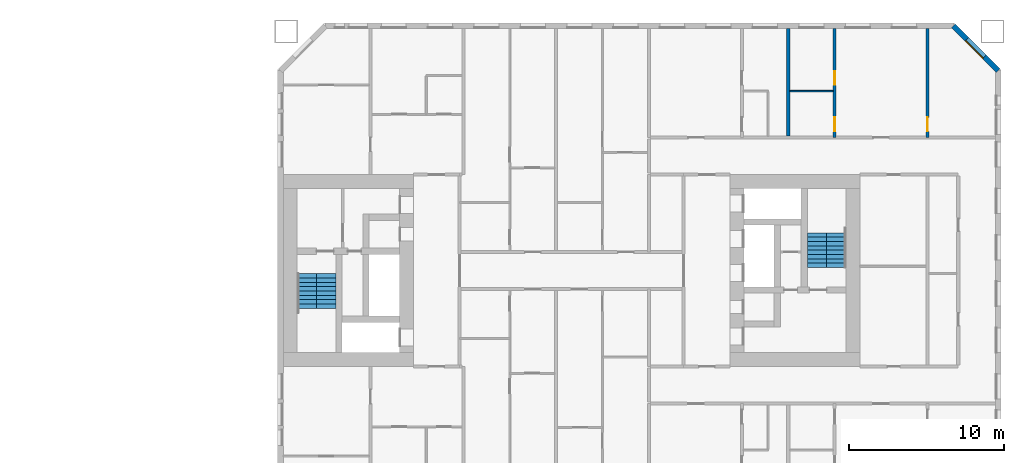
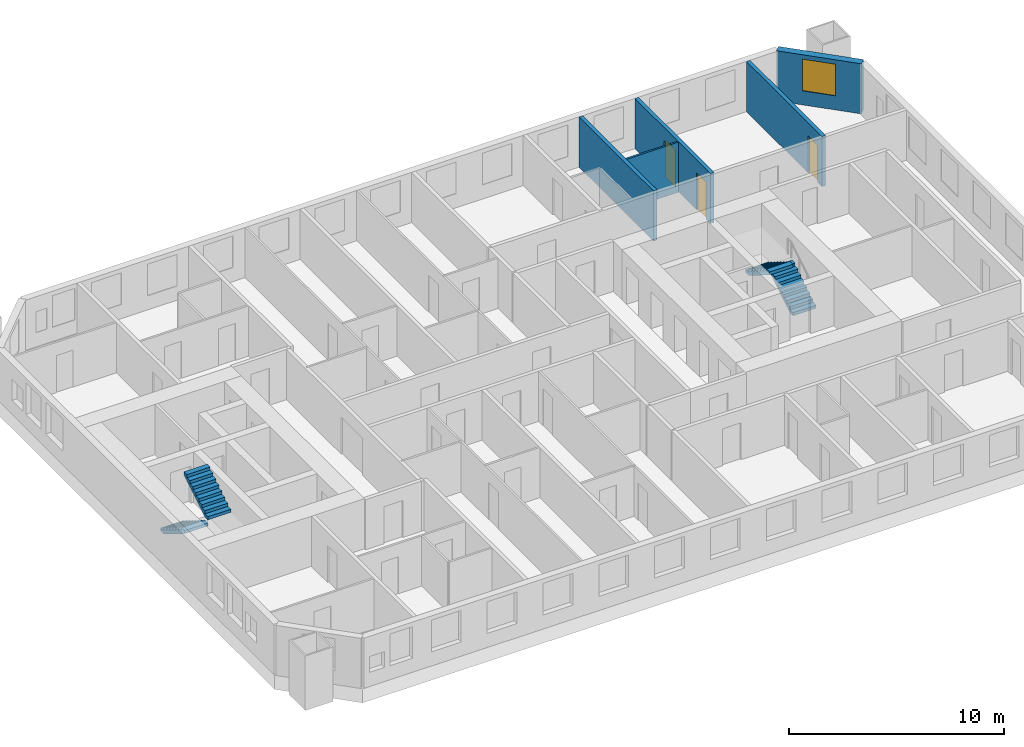
# One storey, part 14 of 16: 5 walls, 4 stair flights, 3 doors, 1 window, 4 openings, 2 elements without a shape of their own.
"""IFC4 building model written with IfcOpenShell, lengths in metres."""

from ifc_helpers import new_model, si_unit, direction, frame, frame_2d, origin, place, context, subcontext, project, spatial, polyline, rectangle, outline, extrude, material, layer, layer_set, type_object, element, fill, aggregate, save


model = new_model("IFC4")

# Units and contexts
model_context = context("Model", 3, precision=1e-05, world=origin(), true_north=direction((0.0, 1.0)))
body_context = subcontext(model_context, "Body", "Model", "MODEL_VIEW")
ifc_project = project(units=[si_unit("LENGTHUNIT", "METRE"), si_unit("AREAUNIT", "SQUARE_METRE"), si_unit("VOLUMEUNIT", "CUBIC_METRE"), si_unit("PLANEANGLEUNIT", "RADIAN"), si_unit("MASSUNIT", "GRAM", prefix="KILO")], contexts=[model_context])

# Site, building, storey
site_placement = place(None, origin())
site = spatial("IfcSite", under=ifc_project, at=site_placement, CompositionType="ELEMENT")
building_placement = place(site_placement, origin())
building = spatial("IfcBuilding", under=site, at=building_placement, Name="Tuart Gate Housing", CompositionType="ELEMENT")
storey_placement = place(building_placement, frame((0.0, 0.0, 19.5)))
storey = spatial("IfcBuildingStorey", under=building, at=storey_placement, Name="L04", CompositionType="ELEMENT", Elevation=19.5)

# Wall, opening, window
ifc_material_1 = material(Name="Brick", Category="masonry")
ifc_layer_1 = layer(ifc_material_1, 0.360107421875)
ifc_layer_set_1 = layer_set([ifc_layer_1], Name="Brick pier and spandrel wall 360")
wall_type_1 = type_object("IfcWallType", Name="Brick pier and spandrel wall 360", PredefinedType="STANDARD", material=ifc_layer_set_1)
wall_1_placement = place(storey_placement, frame((177.570068359375, 82.92529296875, 0.0), z_axis=(0.0, 0.0, 1.0), x_axis=(-0.707106781187, 0.707106781187, 0.0)))
wall_1 = element("IfcWall", 1, at=wall_1_placement, inside=storey, type_object=wall_type_1, Name="External wall B-NE L04", PredefinedType="STANDARD", context=body_context, shape_type="SweptSolid", body=[
    extrude(rectangle(XDim=4.09375, YDim=0.360107421875, at=frame_2d((2.046875, 0.0))), origin(), (0.0, 0.0, 1.0), 2.85009765625),
])
opening_1_placement = place(wall_1_placement, frame((1.2470703125, 0.0, 0.800048828125)))
opening_1 = element("IfcOpeningElement", 2, at=opening_1_placement, cuts=wall_1, Name="Opening W1", PredefinedType="OPENING", context=body_context, shape_type="SweptSolid", body=[
    extrude(rectangle(XDim=1.60009765625, YDim=1.800048828125, at=frame_2d((0.800048828125, 0.89990234375))), frame((0.0, 0.18994140625, 0.0), z_axis=(0.0, -1.0, 0.0), x_axis=(1.0, 0.0, 0.0)), (0.0, 0.0, 1.0), 0.380126953125),
])
ifc_material_2 = material(Name="Aluminium frame with clear glass", Category="aluminium")
window_type = type_object("IfcWindowType", Name="Punched window 1600 x 1800", PartitioningType="SINGLE_PANEL", PredefinedType="WINDOW", material=ifc_material_2)
window_placement = place(opening_1_placement, origin())
window = element("IfcWindow", 3, at=window_placement, inside=storey, type_object=window_type, Name="Window W1", OverallHeight=1.800048828125, OverallWidth=1.60009765625, PartitioningType="SINGLE_PANEL", PredefinedType="WINDOW", context=body_context, shape_type="SweptSolid", body=[
    extrude(rectangle(XDim=1.60009765625, YDim=1.800048828125, at=frame_2d((0.800048828125, 0.89990234375))), frame((0.0, 0.150146484375, 0.0), z_axis=(0.0, -1.0, 0.0), x_axis=(1.0, 0.0, 0.0)), (0.0, 0.0, 1.0), 0.06005859375),
])
fill(opening_1, window)

# Wall
ifc_material_3 = material(Name="Gypsum board on steel studs", Category="steel")
ifc_layer_2 = layer(ifc_material_3, 0.10009765625)
ifc_layer_set_2 = layer_set([ifc_layer_2], Name="Partition 100")
wall_type_2 = type_object("IfcWallType", Name="Partition 100", PredefinedType="PARTITIONING", material=ifc_layer_set_2)
wall_2_placement = place(storey_placement, frame((164.10009765625, 81.60009765625, 0.0), z_axis=(0.0, 0.0, 1.0), x_axis=(1.0, 0.0, 0.0)))
element("IfcWall", 4, at=wall_2_placement, inside=storey, type_object=wall_type_2, Name="Partition 100", PredefinedType="PARTITIONING", context=body_context, shape_type="SweptSolid", body=[
    extrude(rectangle(XDim=2.7998046875, YDim=0.10009765625, at=frame_2d((1.39990234375, 0.0))), origin(), (0.0, 0.0, 1.0), 2.85009765625),
])

# Wall, openings, doors
ifc_material_4 = material(Name="Concrete C40", Category="concrete")
ifc_layer_3 = layer(ifc_material_4, 0.199951171875)
ifc_layer_set_3 = layer_set([ifc_layer_3], Name="Party wall concrete C40 200")
wall_type_3 = type_object("IfcWallType", Name="Party wall concrete C40 200", PredefinedType="SOLIDWALL", material=ifc_layer_set_3)
wall_3_placement = place(storey_placement, frame((167.0, 78.60009765625, 0.0), z_axis=(0.0, 0.0, 1.0), x_axis=(0.0, 1.0, 0.0)))
wall_3 = element("IfcWall", 5, at=wall_3_placement, inside=storey, type_object=wall_type_3, Name="Party wall concrete C40 200", PredefinedType="SOLIDWALL", context=body_context, shape_type="SweptSolid", body=[
    extrude(rectangle(XDim=7.039794921875, YDim=0.199951171875, at=frame_2d((3.52001953125, 0.0))), origin(), (0.0, 0.0, 1.0), 2.85009765625),
])
opening_2_placement = place(wall_3_placement, frame((3.39990234375, 0.0, 0.0)))
opening_2 = element("IfcOpeningElement", 6, at=opening_2_placement, cuts=wall_3, Name="Opening D412", PredefinedType="OPENING", context=body_context, shape_type="SweptSolid", body=[
    extrude(rectangle(XDim=0.89990234375, YDim=2.10009765625, at=frame_2d((0.449951171875, 1.050048828125))), frame((0.0, 0.10986328125, 0.0), z_axis=(0.0, -1.0, 0.0), x_axis=(1.0, 0.0, 0.0)), (0.0, 0.0, 1.0), 0.219970703125),
])
opening_3_placement = place(wall_3_placement, frame((0.39990234375, 0.0, 0.0)))
opening_3 = element("IfcOpeningElement", 7, at=opening_3_placement, cuts=wall_3, Name="Opening D411", PredefinedType="OPENING", context=body_context, shape_type="SweptSolid", body=[
    extrude(rectangle(XDim=0.89990234375, YDim=2.10009765625, at=frame_2d((0.449951171875, 1.050048828125))), frame((0.0, 0.10986328125, 0.0), z_axis=(0.0, -1.0, 0.0), x_axis=(1.0, 0.0, 0.0)), (0.0, 0.0, 1.0), 0.219970703125),
])
ifc_material_5 = material(Name="Timber door leaf in steel frame", Category="steel")
door_type_1 = type_object("IfcDoorType", Name="Bathroom door 900", OperationType="SINGLE_SWING_LEFT", PredefinedType="DOOR", material=ifc_material_5)
door_1_placement = place(opening_3_placement, origin())
door_1 = element("IfcDoor", 8, at=door_1_placement, inside=storey, type_object=door_type_1, Name="Bathroom door", OperationType="SINGLE_SWING_LEFT", OverallHeight=2.10009765625, OverallWidth=0.89990234375, PredefinedType="DOOR", context=body_context, shape_type="SweptSolid", body=[
    extrude(rectangle(XDim=0.89990234375, YDim=2.10009765625, at=frame_2d((0.449951171875, 1.050048828125))), frame((0.0, 0.02490234375, 0.0), z_axis=(0.0, -1.0, 0.0), x_axis=(1.0, 0.0, 0.0)), (0.0, 0.0, 1.0), 0.050048828125),
])
fill(opening_3, door_1)
ifc_material_6 = material(Name="Timber door leaf in steel frame", Category="steel")
door_type_2 = type_object("IfcDoorType", Name="Internal door 900", OperationType="SINGLE_SWING_LEFT", PredefinedType="DOOR", material=ifc_material_6)
door_2_placement = place(opening_2_placement, origin())
door_2 = element("IfcDoor", 9, at=door_2_placement, inside=storey, type_object=door_type_2, Name="Internal door", OperationType="SINGLE_SWING_LEFT", OverallHeight=2.10009765625, OverallWidth=0.89990234375, PredefinedType="DOOR", context=body_context, shape_type="SweptSolid", body=[
    extrude(rectangle(XDim=0.89990234375, YDim=2.10009765625, at=frame_2d((0.449951171875, 1.050048828125))), frame((0.0, 0.02490234375, 0.0), z_axis=(0.0, -1.0, 0.0), x_axis=(1.0, 0.0, 0.0)), (0.0, 0.0, 1.0), 0.050048828125),
])
fill(opening_2, door_2)

# Wall, opening, door
wall_4_placement = place(storey_placement, frame((173.0, 78.60009765625, 0.0), z_axis=(0.0, 0.0, 1.0), x_axis=(0.0, 1.0, 0.0)))
wall_4 = element("IfcWall", 10, at=wall_4_placement, inside=storey, type_object=wall_type_3, Name="Party wall concrete C40 200", PredefinedType="SOLIDWALL", context=body_context, shape_type="SweptSolid", body=[
    extrude(rectangle(XDim=7.039794921875, YDim=0.199951171875, at=frame_2d((3.52001953125, 0.0))), origin(), (0.0, 0.0, 1.0), 2.85009765625),
])
opening_4_placement = place(wall_4_placement, frame((0.39990234375, 0.0, 0.0)))
opening_4 = element("IfcOpeningElement", 11, at=opening_4_placement, cuts=wall_4, Name="Opening D413", PredefinedType="OPENING", context=body_context, shape_type="SweptSolid", body=[
    extrude(rectangle(XDim=0.89990234375, YDim=2.10009765625, at=frame_2d((0.449951171875, 1.050048828125))), frame((0.0, 0.10986328125, 0.0), z_axis=(0.0, -1.0, 0.0), x_axis=(1.0, 0.0, 0.0)), (0.0, 0.0, 1.0), 0.219970703125),
])
ifc_material_7 = material(Name="Timber door leaf in steel frame", Category="steel")
door_type_3 = type_object("IfcDoorType", Name="Internal door 900 RH", OperationType="SINGLE_SWING_RIGHT", PredefinedType="DOOR", material=ifc_material_7)
door_3_placement = place(opening_4_placement, frame((0.89990234375, 0.0, 0.0), z_axis=(0.0, 0.0, 1.0), x_axis=(-1.0, 0.0, 0.0)))
door_3 = element("IfcDoor", 12, at=door_3_placement, inside=storey, type_object=door_type_3, Name="Internal door", OperationType="SINGLE_SWING_RIGHT", OverallHeight=2.10009765625, OverallWidth=0.89990234375, PredefinedType="DOOR", context=body_context, shape_type="SweptSolid", body=[
    extrude(rectangle(XDim=0.89990234375, YDim=2.10009765625, at=frame_2d((0.449951171875, 1.050048828125))), frame((0.0, 0.025146484375, 0.0), z_axis=(0.0, -1.0, 0.0), x_axis=(1.0, 0.0, 0.0)), (0.0, 0.0, 1.0), 0.050048828125),
])
fill(opening_4, door_3)

# Wall
ifc_material_8 = material(Name="Concrete masonry 15 MPa", Category="masonry")
ifc_layer_4 = layer(ifc_material_8, 0.199951171875)
ifc_layer_set_4 = layer_set([ifc_layer_4], Name="Party wall masonry 200")
wall_type_4 = type_object("IfcWallType", Name="Party wall masonry 200", PredefinedType="PARTITIONING", material=ifc_layer_set_4)
wall_5_placement = place(storey_placement, frame((164.0, 78.699951171875, 0.0), z_axis=(0.0, 0.0, 1.0), x_axis=(0.0, 1.0, 0.0)))
element("IfcWall", 13, at=wall_5_placement, inside=storey, type_object=wall_type_4, Name="Party wall masonry 200", PredefinedType="PARTITIONING", context=body_context, shape_type="SweptSolid", body=[
    extrude(rectangle(XDim=6.93994140625, YDim=0.199951171875, at=frame_2d((3.469970703125, 0.0))), origin(), (0.0, 0.0, 1.0), 2.85009765625),
])

# Stair, stair flights
ifc_material_9 = material(Name="Concrete C40", Category="concrete")
stair_type = type_object("IfcStairType", Name="Core stair 1250", PredefinedType="HALF_TURN_STAIR", material=ifc_material_9)
stair_1_placement = place(storey_placement, origin())
stair_1 = element("IfcStair", 14, at=stair_1_placement, inside=storey, type_object=stair_type, Name="Stair SB1", PredefinedType="HALF_TURN_STAIR")
ifc_material_10 = material(Name="Concrete C40", Category="concrete")
stair_flight_type = type_object("IfcStairFlightType", Name="Stair flight 1250, 9 risers 172 x 280", PredefinedType="STRAIGHT", material=ifc_material_10)
stair_flight_1_placement = place(storey_placement, frame((132.885009765625, 69.800048828125, 0.0), z_axis=(0.0, 0.0, 1.0), x_axis=(0.0, -1.0, 0.0)))
stair_flight_1 = element("IfcStairFlight", 15, at=stair_flight_1_placement, type_object=stair_flight_type, Name="SB1 flight 1", NumberOfRisers=9, NumberOfTreads=8, PredefinedType="STRAIGHT", RiserHeight=0.172222222, TreadLength=0.28, context=body_context, shape_type="SweptSolid", body=[
    extrude(outline(polyline([(0.0, 0.0), (0.0, 0.172119140625), (0.280029296875, 0.172119140625), (0.280029296875, 0.344482421875), (0.56005859375, 0.344482421875), (0.56005859375, 0.5166015625), (0.840087890625, 0.5166015625), (0.840087890625, 0.68896484375), (1.1201171875, 0.68896484375), (1.1201171875, 0.861083984375), (1.39990234375, 0.861083984375), (1.39990234375, 1.033447265625), (1.679931640625, 1.033447265625), (1.679931640625, 1.20556640625), (1.9599609375, 1.20556640625), (1.9599609375, 1.377685546875), (2.239990234375, 1.377685546875), (2.239990234375, 1.550048828125), (2.239990234375, 1.201904296875), (0.2861328125, 0.0), (0.0, 0.0)])), frame((0.0, 0.625, 0.0), z_axis=(0.0, -1.0, 0.0), x_axis=(1.0, 0.0, 0.0)), (0.0, 0.0, 1.0), 1.25),
])
stair_flight_2_placement = place(storey_placement, frame((134.135009765625, 67.56005859375, 1.550048828125), z_axis=(0.0, 0.0, 1.0), x_axis=(0.0, 1.0, 0.0)))
stair_flight_2 = element("IfcStairFlight", 16, at=stair_flight_2_placement, type_object=stair_flight_type, Name="SB1 flight 2", NumberOfRisers=9, NumberOfTreads=8, PredefinedType="STRAIGHT", RiserHeight=0.172222222, TreadLength=0.28, context=body_context, shape_type="SweptSolid", body=[
    extrude(outline(polyline([(0.0, 0.0), (0.0, 0.172119140625), (0.280029296875, 0.172119140625), (0.280029296875, 0.344482421875), (0.56005859375, 0.344482421875), (0.56005859375, 0.5166015625), (0.840087890625, 0.5166015625), (0.840087890625, 0.68896484375), (1.1201171875, 0.68896484375), (1.1201171875, 0.861083984375), (1.39990234375, 0.861083984375), (1.39990234375, 1.033447265625), (1.679931640625, 1.033447265625), (1.679931640625, 1.20556640625), (1.9599609375, 1.20556640625), (1.9599609375, 1.377685546875), (2.239990234375, 1.377685546875), (2.239990234375, 1.550048828125), (2.239990234375, 1.201904296875), (0.2861328125, 0.0), (0.0, 0.0)])), frame((0.0, 0.625, 0.0), z_axis=(0.0, -1.0, 0.0), x_axis=(1.0, 0.0, 0.0)), (0.0, 0.0, 1.0), 1.25),
])
aggregate(stair_1, [stair_flight_1, stair_flight_2])

stair_2_placement = place(storey_placement, origin())
stair_2 = element("IfcStair", 17, at=stair_2_placement, inside=storey, type_object=stair_type, Name="Stair SB2", PredefinedType="HALF_TURN_STAIR")
stair_flight_3_placement = place(storey_placement, frame((167.114990234375, 70.199951171875, 0.0), z_axis=(0.0, 0.0, 1.0), x_axis=(0.0, 1.0, 0.0)))
stair_flight_3 = element("IfcStairFlight", 18, at=stair_flight_3_placement, type_object=stair_flight_type, Name="SB2 flight 1", NumberOfRisers=9, NumberOfTreads=8, PredefinedType="STRAIGHT", RiserHeight=0.172222222, TreadLength=0.28, context=body_context, shape_type="SweptSolid", body=[
    extrude(outline(polyline([(0.0, 0.0), (0.0, 0.172119140625), (0.280029296875, 0.172119140625), (0.280029296875, 0.344482421875), (0.56005859375, 0.344482421875), (0.56005859375, 0.5166015625), (0.840087890625, 0.5166015625), (0.840087890625, 0.68896484375), (1.1201171875, 0.68896484375), (1.1201171875, 0.861083984375), (1.39990234375, 0.861083984375), (1.39990234375, 1.033447265625), (1.679931640625, 1.033447265625), (1.679931640625, 1.20556640625), (1.9599609375, 1.20556640625), (1.9599609375, 1.377685546875), (2.239990234375, 1.377685546875), (2.239990234375, 1.550048828125), (2.239990234375, 1.201904296875), (0.2861328125, 0.0), (0.0, 0.0)])), frame((0.0, 0.625, 0.0), z_axis=(0.0, -1.0, 0.0), x_axis=(1.0, 0.0, 0.0)), (0.0, 0.0, 1.0), 1.25),
])
stair_flight_4_placement = place(storey_placement, frame((165.864990234375, 72.43994140625, 1.550048828125), z_axis=(0.0, 0.0, 1.0), x_axis=(0.0, -1.0, 0.0)))
stair_flight_4 = element("IfcStairFlight", 19, at=stair_flight_4_placement, type_object=stair_flight_type, Name="SB2 flight 2", NumberOfRisers=9, NumberOfTreads=8, PredefinedType="STRAIGHT", RiserHeight=0.172222222, TreadLength=0.28, context=body_context, shape_type="SweptSolid", body=[
    extrude(outline(polyline([(0.0, 0.0), (0.0, 0.172119140625), (0.280029296875, 0.172119140625), (0.280029296875, 0.344482421875), (0.56005859375, 0.344482421875), (0.56005859375, 0.5166015625), (0.840087890625, 0.5166015625), (0.840087890625, 0.68896484375), (1.1201171875, 0.68896484375), (1.1201171875, 0.861083984375), (1.39990234375, 0.861083984375), (1.39990234375, 1.033447265625), (1.679931640625, 1.033447265625), (1.679931640625, 1.20556640625), (1.9599609375, 1.20556640625), (1.9599609375, 1.377685546875), (2.239990234375, 1.377685546875), (2.239990234375, 1.550048828125), (2.239990234375, 1.201904296875), (0.2861328125, 0.0), (0.0, 0.0)])), frame((0.0, 0.625, 0.0), z_axis=(0.0, -1.0, 0.0), x_axis=(1.0, 0.0, 0.0)), (0.0, 0.0, 1.0), 1.25),
])
aggregate(stair_2, [stair_flight_3, stair_flight_4])

save(model, "model.ifc")
